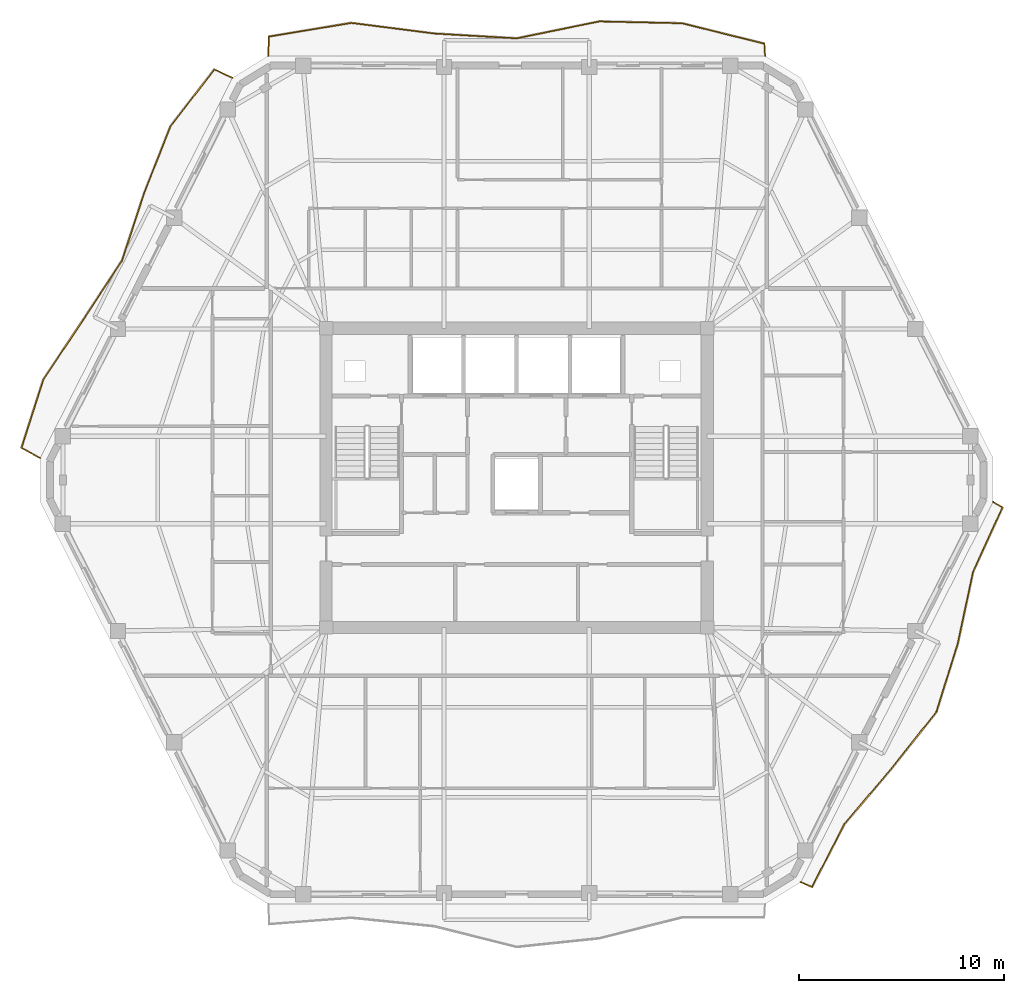
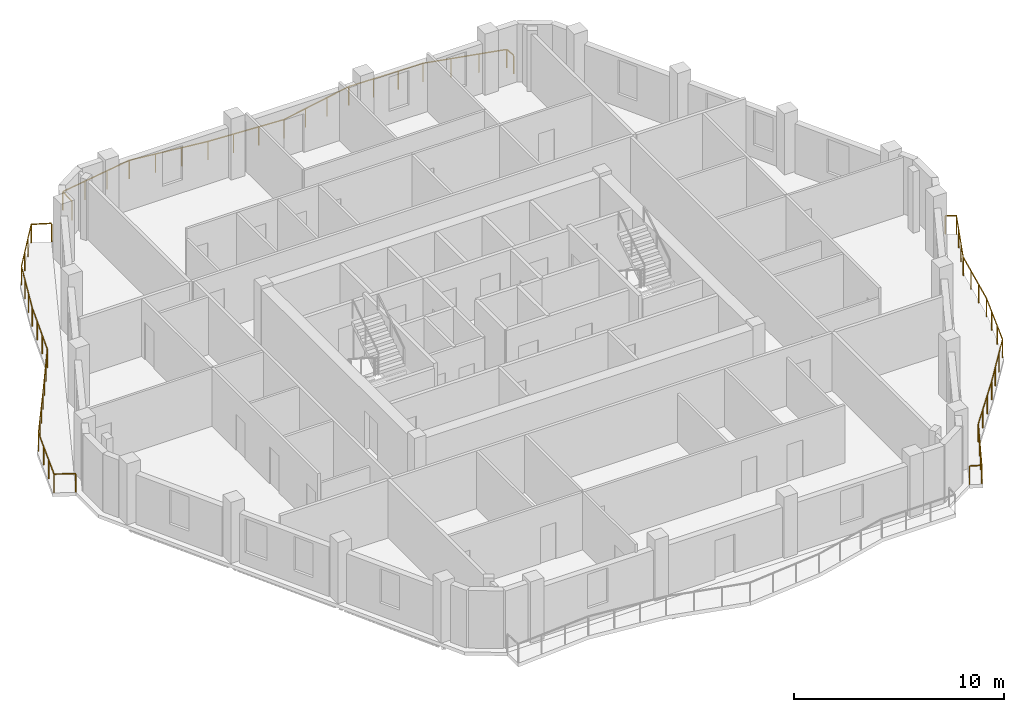
# One storey, part 9 of 9: 3 railings.
"""IFC4 building model written with IfcOpenShell, lengths in metres."""

from ifc_helpers import new_model, si_unit, direction, frame, origin, origin_2d, place, context, subcontext, project, spatial, rectangle, extrude, material, type_object, element, save


model = new_model("IFC4")

# Units and contexts
model_context = context("Model", 3, precision=1e-05, world=origin(), true_north=direction((0.0, 1.0)))
body_context = subcontext(model_context, "Body", "Model", "MODEL_VIEW")
ifc_project = project(units=[si_unit("LENGTHUNIT", "METRE"), si_unit("AREAUNIT", "SQUARE_METRE"), si_unit("VOLUMEUNIT", "CUBIC_METRE"), si_unit("PLANEANGLEUNIT", "RADIAN"), si_unit("MASSUNIT", "GRAM", prefix="KILO")], contexts=[model_context])

# Site, building, storey
site_placement = place(None, origin())
site = spatial("IfcSite", under=ifc_project, at=site_placement, CompositionType="ELEMENT")
building_placement = place(site_placement, origin())
building = spatial("IfcBuilding", under=site, at=building_placement, Name="Cinnabar Lancet Tower", CompositionType="ELEMENT")
storey_placement = place(building_placement, frame((0.0, 0.0, 207.39990234375)))
storey = spatial("IfcBuildingStorey", under=building, at=storey_placement, Name="L55", CompositionType="ELEMENT", Elevation=207.39990234375)

# Railings
ifc_material = material(Name="Laminated safety glass and bronze stainless steel balustrade", Category="steel")
railing_type = type_object("IfcRailingType", Name="ENV-RLG-BAL-1100", PredefinedType="BALUSTRADE", material=ifc_material)
railing_1_placement = place(storey_placement, frame((46.27001953125, 6.1708984375, 0.0)))
element("IfcRailing", 1, at=railing_1_placement, inside=storey, type_object=railing_type, Name="L55 Face 2 Wave Balcony Balustrade", PredefinedType="BALUSTRADE", context=body_context, shape_type="SweptSolid", body=[
    extrude(rectangle(XDim=0.048095703125, YDim=0.048095703125, at=origin_2d()), frame((0.0, 0.0, 1.076171875), z_axis=(0.915175921108, -0.403054628337, 0.0), x_axis=(0.403054628337, 0.915175921108, 0.0)), (0.0, 0.0, 1.0), 0.595458984375),
    extrude(rectangle(XDim=0.048095703125, YDim=0.048095703125, at=origin_2d()), frame((0.544921875, -0.239990234375, 1.076171875), z_axis=(0.457686104505, 0.88911384521, 0.0), x_axis=(-0.88911384521, 0.457686104505, 0.0)), (0.0, 0.0, 1.0), 3.458740234375),
    extrude(rectangle(XDim=0.048095703125, YDim=0.048095703125, at=origin_2d()), frame((2.1279296875, 2.835205078125, 1.076171875), z_axis=(0.646474927617, 0.762935231827, 0.0), x_axis=(-0.762935231827, 0.646474927617, 0.0)), (0.0, 0.0, 1.0), 3.55322265625),
    extrude(rectangle(XDim=0.048095703125, YDim=0.048095703125, at=origin_2d()), frame((4.425048828125, 5.546142578125, 1.076171875), z_axis=(0.621498744587, 0.783415158442, 0.0), x_axis=(-0.783415158442, 0.621498744587, 0.0)), (0.0, 0.0, 1.0), 3.52685546875),
    extrude(rectangle(XDim=0.048095703125, YDim=0.048095703125, at=origin_2d()), frame((6.616943359375, 8.30908203125, 1.076171875), z_axis=(0.298255153703, 0.954486177632, 0.0), x_axis=(-0.954486177632, 0.298255153703, 0.0)), (0.0, 0.0, 1.0), 3.50341796875),
    extrude(rectangle(XDim=0.048095703125, YDim=0.048095703125, at=origin_2d()), frame((7.661865234375, 11.653076171875, 1.076171875), z_axis=(0.20818550077, 0.978089360574, 0.0), x_axis=(-0.978089360574, 0.20818550077, 0.0)), (0.0, 0.0, 1.0), 3.574462890625),
    extrude(rectangle(XDim=0.048095703125, YDim=0.048095703125, at=origin_2d()), frame((8.406005859375, 15.149169921875, 1.076171875), z_axis=(0.416416610466, 0.909173914346, 0.0), x_axis=(-0.909173914346, 0.416416610466, 0.0)), (0.0, 0.0, 1.0), 3.460205078125),
    extrude(rectangle(XDim=0.048095703125, YDim=0.048095703125, at=origin_2d()), frame((9.846923828125, 18.295166015625, 1.076171875), z_axis=(-0.86770297691, 0.497083035177, 0.0), x_axis=(-0.497083035177, -0.86770297691, 0.0)), (0.0, 0.0, 1.0), 0.529052734375),
    extrude(rectangle(XDim=0.0419921875, YDim=0.0419921875, at=origin_2d()), origin(), (0.0, 0.0, 1.0), 1.052001953125),
    extrude(rectangle(XDim=0.0419921875, YDim=0.0419921875, at=origin_2d()), frame((0.544921875, -0.239990234375, 0.0)), (0.0, 0.0, 1.0), 1.052001953125),
    extrude(rectangle(XDim=0.0419921875, YDim=0.0419921875, at=origin_2d()), frame((1.072509765625, 0.78515625, 0.0)), (0.0, 0.0, 1.0), 1.052001953125),
    extrude(rectangle(XDim=0.0419921875, YDim=0.0419921875, at=origin_2d()), frame((1.600341796875, 1.81005859375, 0.0)), (0.0, 0.0, 1.0), 1.052001953125),
    extrude(rectangle(XDim=0.0419921875, YDim=0.0419921875, at=origin_2d()), frame((2.1279296875, 2.835205078125, 0.0)), (0.0, 0.0, 1.0), 1.052001953125),
    extrude(rectangle(XDim=0.0419921875, YDim=0.0419921875, at=origin_2d()), frame((2.8935546875, 3.73876953125, 0.0)), (0.0, 0.0, 1.0), 1.052001953125),
    extrude(rectangle(XDim=0.0419921875, YDim=0.0419921875, at=origin_2d()), frame((3.659423828125, 4.642578125, 0.0)), (0.0, 0.0, 1.0), 1.052001953125),
    extrude(rectangle(XDim=0.0419921875, YDim=0.0419921875, at=origin_2d()), frame((4.425048828125, 5.546142578125, 0.0)), (0.0, 0.0, 1.0), 1.052001953125),
    extrude(rectangle(XDim=0.0419921875, YDim=0.0419921875, at=origin_2d()), frame((5.15576171875, 6.467041015625, 0.0)), (0.0, 0.0, 1.0), 1.052001953125),
    extrude(rectangle(XDim=0.0419921875, YDim=0.0419921875, at=origin_2d()), frame((5.88623046875, 7.38818359375, 0.0)), (0.0, 0.0, 1.0), 1.052001953125),
    extrude(rectangle(XDim=0.0419921875, YDim=0.0419921875, at=origin_2d()), frame((6.616943359375, 8.30908203125, 0.0)), (0.0, 0.0, 1.0), 1.052001953125),
    extrude(rectangle(XDim=0.0419921875, YDim=0.0419921875, at=origin_2d()), frame((6.96533203125, 9.423828125, 0.0)), (0.0, 0.0, 1.0), 1.052001953125),
    extrude(rectangle(XDim=0.0419921875, YDim=0.0419921875, at=origin_2d()), frame((7.3134765625, 10.538330078125, 0.0)), (0.0, 0.0, 1.0), 1.052001953125),
    extrude(rectangle(XDim=0.0419921875, YDim=0.0419921875, at=origin_2d()), frame((7.661865234375, 11.653076171875, 0.0)), (0.0, 0.0, 1.0), 1.052001953125),
    extrude(rectangle(XDim=0.0419921875, YDim=0.0419921875, at=origin_2d()), frame((7.909912109375, 12.818359375, 0.0)), (0.0, 0.0, 1.0), 1.052001953125),
    extrude(rectangle(XDim=0.0419921875, YDim=0.0419921875, at=origin_2d()), frame((8.157958984375, 13.98388671875, 0.0)), (0.0, 0.0, 1.0), 1.052001953125),
    extrude(rectangle(XDim=0.0419921875, YDim=0.0419921875, at=origin_2d()), frame((8.406005859375, 15.149169921875, 0.0)), (0.0, 0.0, 1.0), 1.052001953125),
    extrude(rectangle(XDim=0.0419921875, YDim=0.0419921875, at=origin_2d()), frame((8.88623046875, 16.19775390625, 0.0)), (0.0, 0.0, 1.0), 1.052001953125),
    extrude(rectangle(XDim=0.0419921875, YDim=0.0419921875, at=origin_2d()), frame((9.36669921875, 17.24658203125, 0.0)), (0.0, 0.0, 1.0), 1.052001953125),
    extrude(rectangle(XDim=0.0419921875, YDim=0.0419921875, at=origin_2d()), frame((9.846923828125, 18.295166015625, 0.0)), (0.0, 0.0, 1.0), 1.052001953125),
    extrude(rectangle(XDim=0.0419921875, YDim=0.0419921875, at=origin_2d()), frame((9.387939453125, 18.55810546875, 0.0)), (0.0, 0.0, 1.0), 1.052001953125),
])
railing_2_placement = place(storey_placement, frame((44.528076171875, 46.5, 0.0)))
element("IfcRailing", 2, at=railing_2_placement, inside=storey, type_object=railing_type, Name="L55 Face 4 Wave Balcony Balustrade", PredefinedType="BALUSTRADE", context=body_context, shape_type="SweptSolid", body=[
    extrude(rectangle(XDim=0.048095703125, YDim=0.048095703125, at=origin_2d()), frame((0.0, 0.0, 1.076171875), z_axis=(-0.058889834587, 0.99826448769, 0.0), x_axis=(-0.99826448769, -0.058889834587, 0.0)), (0.0, 0.0, 1.0), 0.596923828125),
    extrude(rectangle(XDim=0.048095703125, YDim=0.048095703125, at=origin_2d()), frame((-0.03515625, 0.595947265625, 1.076171875), z_axis=(-0.970758264308, 0.24005914329, 0.0), x_axis=(-0.24005914329, -0.970758264308, 0.0)), (0.0, 0.0, 1.0), 4.1533203125),
    extrude(rectangle(XDim=0.048095703125, YDim=0.048095703125, at=origin_2d()), frame((-4.067138671875, 1.593017578125, 1.076171875), z_axis=(-0.999756959797, 0.022045891644, 0.0), x_axis=(-0.022045891644, -0.999756959797, 0.0)), (0.0, 0.0, 1.0), 4.031005859375),
    extrude(rectangle(XDim=0.048095703125, YDim=0.048095703125, at=origin_2d()), frame((-8.09716796875, 1.681884765625, 1.076171875), z_axis=(-0.979647896226, -0.200723689233, 0.0), x_axis=(0.200723689233, -0.979647896226, 0.0)), (0.0, 0.0, 1.0), 4.11474609375),
    extrude(rectangle(XDim=0.048095703125, YDim=0.048095703125, at=origin_2d()), frame((-12.128173828125, 0.85595703125, 1.076171875), z_axis=(-0.998288317955, 0.058484478581, 0.0), x_axis=(-0.058484478581, -0.998288317955, 0.0)), (0.0, 0.0, 1.0), 4.03662109375),
    extrude(rectangle(XDim=0.048095703125, YDim=0.048095703125, at=origin_2d()), frame((-16.157958984375, 1.092041015625, 1.076171875), z_axis=(-0.991842177996, 0.127471933966, 0.0), x_axis=(-0.127471933966, -0.991842177996, 0.0)), (0.0, 0.0, 1.0), 4.064208984375),
    extrude(rectangle(XDim=0.048095703125, YDim=0.048095703125, at=origin_2d()), frame((-20.18896484375, 1.610107421875, 1.076171875), z_axis=(-0.986513096114, -0.163682348453, 0.0), x_axis=(0.163682348453, -0.986513096114, 0.0)), (0.0, 0.0, 1.0), 4.08837890625),
    extrude(rectangle(XDim=0.048095703125, YDim=0.048095703125, at=origin_2d()), frame((-24.22216796875, 0.94091796875, 1.076171875), z_axis=(-0.036042989986, -0.999350240343, 0.0), x_axis=(0.999350240343, -0.036042989986, 0.0)), (0.0, 0.0, 1.0), 0.941650390625),
    extrude(rectangle(XDim=0.0419921875, YDim=0.0419921875, at=origin_2d()), origin(), (0.0, 0.0, 1.0), 1.052001953125),
    extrude(rectangle(XDim=0.0419921875, YDim=0.0419921875, at=origin_2d()), frame((-0.03515625, 0.595947265625, 0.0)), (0.0, 0.0, 1.0), 1.052001953125),
    extrude(rectangle(XDim=0.0419921875, YDim=0.0419921875, at=origin_2d()), frame((-1.379150390625, 0.92822265625, 0.0)), (0.0, 0.0, 1.0), 1.052001953125),
    extrude(rectangle(XDim=0.0419921875, YDim=0.0419921875, at=origin_2d()), frame((-2.72314453125, 1.2607421875, 0.0)), (0.0, 0.0, 1.0), 1.052001953125),
    extrude(rectangle(XDim=0.0419921875, YDim=0.0419921875, at=origin_2d()), frame((-4.067138671875, 1.593017578125, 0.0)), (0.0, 0.0, 1.0), 1.052001953125),
    extrude(rectangle(XDim=0.0419921875, YDim=0.0419921875, at=origin_2d()), frame((-5.410400390625, 1.62255859375, 0.0)), (0.0, 0.0, 1.0), 1.052001953125),
    extrude(rectangle(XDim=0.0419921875, YDim=0.0419921875, at=origin_2d()), frame((-6.75390625, 1.65234375, 0.0)), (0.0, 0.0, 1.0), 1.052001953125),
    extrude(rectangle(XDim=0.0419921875, YDim=0.0419921875, at=origin_2d()), frame((-8.09716796875, 1.681884765625, 0.0)), (0.0, 0.0, 1.0), 1.052001953125),
    extrude(rectangle(XDim=0.0419921875, YDim=0.0419921875, at=origin_2d()), frame((-9.44091796875, 1.406494140625, 0.0)), (0.0, 0.0, 1.0), 1.052001953125),
    extrude(rectangle(XDim=0.0419921875, YDim=0.0419921875, at=origin_2d()), frame((-10.784423828125, 1.13134765625, 0.0)), (0.0, 0.0, 1.0), 1.052001953125),
    extrude(rectangle(XDim=0.0419921875, YDim=0.0419921875, at=origin_2d()), frame((-12.128173828125, 0.85595703125, 0.0)), (0.0, 0.0, 1.0), 1.052001953125),
    extrude(rectangle(XDim=0.0419921875, YDim=0.0419921875, at=origin_2d()), frame((-13.471435546875, 0.9345703125, 0.0)), (0.0, 0.0, 1.0), 1.052001953125),
    extrude(rectangle(XDim=0.0419921875, YDim=0.0419921875, at=origin_2d()), frame((-14.814697265625, 1.013427734375, 0.0)), (0.0, 0.0, 1.0), 1.052001953125),
    extrude(rectangle(XDim=0.0419921875, YDim=0.0419921875, at=origin_2d()), frame((-16.157958984375, 1.092041015625, 0.0)), (0.0, 0.0, 1.0), 1.052001953125),
    extrude(rectangle(XDim=0.0419921875, YDim=0.0419921875, at=origin_2d()), frame((-17.501708984375, 1.2646484375, 0.0)), (0.0, 0.0, 1.0), 1.052001953125),
    extrude(rectangle(XDim=0.0419921875, YDim=0.0419921875, at=origin_2d()), frame((-18.84521484375, 1.4375, 0.0)), (0.0, 0.0, 1.0), 1.052001953125),
    extrude(rectangle(XDim=0.0419921875, YDim=0.0419921875, at=origin_2d()), frame((-20.18896484375, 1.610107421875, 0.0)), (0.0, 0.0, 1.0), 1.052001953125),
    extrude(rectangle(XDim=0.0419921875, YDim=0.0419921875, at=origin_2d()), frame((-21.533447265625, 1.386962890625, 0.0)), (0.0, 0.0, 1.0), 1.052001953125),
    extrude(rectangle(XDim=0.0419921875, YDim=0.0419921875, at=origin_2d()), frame((-22.877685546875, 1.1640625, 0.0)), (0.0, 0.0, 1.0), 1.052001953125),
    extrude(rectangle(XDim=0.0419921875, YDim=0.0419921875, at=origin_2d()), frame((-24.22216796875, 0.94091796875, 0.0)), (0.0, 0.0, 1.0), 1.052001953125),
    extrude(rectangle(XDim=0.0419921875, YDim=0.0419921875, at=origin_2d()), frame((-24.256103515625, 0.0, 0.0)), (0.0, 0.0, 1.0), 1.052001953125),
])
railing_3_placement = place(storey_placement, frame((18.530029296875, 45.428955078125, 0.0)))
element("IfcRailing", 3, at=railing_3_placement, inside=storey, type_object=railing_type, Name="L55 Face 5 Wave Balcony Balustrade", PredefinedType="BALUSTRADE", context=body_context, shape_type="SweptSolid", body=[
    extrude(rectangle(XDim=0.048095703125, YDim=0.048095703125, at=origin_2d()), frame((0.0, 0.0, 1.076171875), z_axis=(-0.906176739421, 0.422899180576, 0.0), x_axis=(-0.422899180576, -0.906176739421, 0.0)), (0.0, 0.0, 1.0), 0.974365234375),
    extrude(rectangle(XDim=0.048095703125, YDim=0.048095703125, at=origin_2d()), frame((-0.883056640625, 0.412109375, 1.076171875), z_axis=(-0.610641970489, -0.79190680252, 0.0), x_axis=(0.79190680252, -0.610641970489, 0.0)), (0.0, 0.0, 1.0), 3.520751953125),
    extrude(rectangle(XDim=0.048095703125, YDim=0.048095703125, at=origin_2d()), frame((-3.032958984375, -2.3759765625, 1.076171875), z_axis=(-0.366074396946, -0.930585587628, 0.0), x_axis=(0.930585587628, -0.366074396946, 0.0)), (0.0, 0.0, 1.0), 3.471923828125),
    extrude(rectangle(XDim=0.048095703125, YDim=0.048095703125, at=origin_2d()), frame((-4.303955078125, -5.60693359375, 1.076171875), z_axis=(-0.312118169, -0.95004328774, 0.0), x_axis=(0.95004328774, -0.312118169, 0.0)), (0.0, 0.0, 1.0), 3.49560546875),
    extrude(rectangle(XDim=0.048095703125, YDim=0.048095703125, at=origin_2d()), frame((-5.39501953125, -8.927978515625, 1.076171875), z_axis=(-0.54903215858, -0.835801225678, 0.0), x_axis=(0.835801225678, -0.54903215858, 0.0)), (0.0, 0.0, 1.0), 3.476806640625),
    extrude(rectangle(XDim=0.048095703125, YDim=0.048095703125, at=origin_2d()), frame((-7.303955078125, -11.833984375, 1.076171875), z_axis=(-0.553777441373, -0.832664725701, 0.0), x_axis=(0.832664725701, -0.553777441373, 0.0)), (0.0, 0.0, 1.0), 3.4814453125),
    extrude(rectangle(XDim=0.048095703125, YDim=0.048095703125, at=origin_2d()), frame((-9.23193359375, -14.73291015625, 1.076171875), z_axis=(-0.305178132599, -0.952295283714, 0.0), x_axis=(0.952295283714, -0.305178132599, 0.0)), (0.0, 0.0, 1.0), 3.5),
    extrude(rectangle(XDim=0.048095703125, YDim=0.048095703125, at=origin_2d()), frame((-10.300048828125, -18.06591796875, 1.076171875), z_axis=(0.880145612462, -0.474703803295, 0.0), x_axis=(0.474703803295, 0.880145612462, 0.0)), (0.0, 0.0, 1.0), 1.036376953125),
    extrude(rectangle(XDim=0.0419921875, YDim=0.0419921875, at=origin_2d()), origin(), (0.0, 0.0, 1.0), 1.052001953125),
    extrude(rectangle(XDim=0.0419921875, YDim=0.0419921875, at=origin_2d()), frame((-0.883056640625, 0.412109375, 0.0)), (0.0, 0.0, 1.0), 1.052001953125),
    extrude(rectangle(XDim=0.0419921875, YDim=0.0419921875, at=origin_2d()), frame((-1.599609375, -0.517333984375, 0.0)), (0.0, 0.0, 1.0), 1.052001953125),
    extrude(rectangle(XDim=0.0419921875, YDim=0.0419921875, at=origin_2d()), frame((-2.31640625, -1.446533203125, 0.0)), (0.0, 0.0, 1.0), 1.052001953125),
    extrude(rectangle(XDim=0.0419921875, YDim=0.0419921875, at=origin_2d()), frame((-3.032958984375, -2.3759765625, 0.0)), (0.0, 0.0, 1.0), 1.052001953125),
    extrude(rectangle(XDim=0.0419921875, YDim=0.0419921875, at=origin_2d()), frame((-3.45654296875, -3.452880859375, 0.0)), (0.0, 0.0, 1.0), 1.052001953125),
    extrude(rectangle(XDim=0.0419921875, YDim=0.0419921875, at=origin_2d()), frame((-3.88037109375, -4.530029296875, 0.0)), (0.0, 0.0, 1.0), 1.052001953125),
    extrude(rectangle(XDim=0.0419921875, YDim=0.0419921875, at=origin_2d()), frame((-4.303955078125, -5.60693359375, 0.0)), (0.0, 0.0, 1.0), 1.052001953125),
    extrude(rectangle(XDim=0.0419921875, YDim=0.0419921875, at=origin_2d()), frame((-4.667724609375, -6.7138671875, 0.0)), (0.0, 0.0, 1.0), 1.052001953125),
    extrude(rectangle(XDim=0.0419921875, YDim=0.0419921875, at=origin_2d()), frame((-5.03125, -7.821044921875, 0.0)), (0.0, 0.0, 1.0), 1.052001953125),
    extrude(rectangle(XDim=0.0419921875, YDim=0.0419921875, at=origin_2d()), frame((-5.39501953125, -8.927978515625, 0.0)), (0.0, 0.0, 1.0), 1.052001953125),
    extrude(rectangle(XDim=0.0419921875, YDim=0.0419921875, at=origin_2d()), frame((-6.03125, -9.896728515625, 0.0)), (0.0, 0.0, 1.0), 1.052001953125),
    extrude(rectangle(XDim=0.0419921875, YDim=0.0419921875, at=origin_2d()), frame((-6.667724609375, -10.865234375, 0.0)), (0.0, 0.0, 1.0), 1.052001953125),
    extrude(rectangle(XDim=0.0419921875, YDim=0.0419921875, at=origin_2d()), frame((-7.303955078125, -11.833984375, 0.0)), (0.0, 0.0, 1.0), 1.052001953125),
    extrude(rectangle(XDim=0.0419921875, YDim=0.0419921875, at=origin_2d()), frame((-7.946533203125, -12.80029296875, 0.0)), (0.0, 0.0, 1.0), 1.052001953125),
    extrude(rectangle(XDim=0.0419921875, YDim=0.0419921875, at=origin_2d()), frame((-8.58935546875, -13.7666015625, 0.0)), (0.0, 0.0, 1.0), 1.052001953125),
    extrude(rectangle(XDim=0.0419921875, YDim=0.0419921875, at=origin_2d()), frame((-9.23193359375, -14.73291015625, 0.0)), (0.0, 0.0, 1.0), 1.052001953125),
    extrude(rectangle(XDim=0.0419921875, YDim=0.0419921875, at=origin_2d()), frame((-9.587890625, -15.843994140625, 0.0)), (0.0, 0.0, 1.0), 1.052001953125),
    extrude(rectangle(XDim=0.0419921875, YDim=0.0419921875, at=origin_2d()), frame((-9.944091796875, -16.954833984375, 0.0)), (0.0, 0.0, 1.0), 1.052001953125),
    extrude(rectangle(XDim=0.0419921875, YDim=0.0419921875, at=origin_2d()), frame((-10.300048828125, -18.06591796875, 0.0)), (0.0, 0.0, 1.0), 1.052001953125),
    extrude(rectangle(XDim=0.0419921875, YDim=0.0419921875, at=origin_2d()), frame((-9.387939453125, -18.557861328125, 0.0)), (0.0, 0.0, 1.0), 1.052001953125),
])

save(model, "model.ifc")
